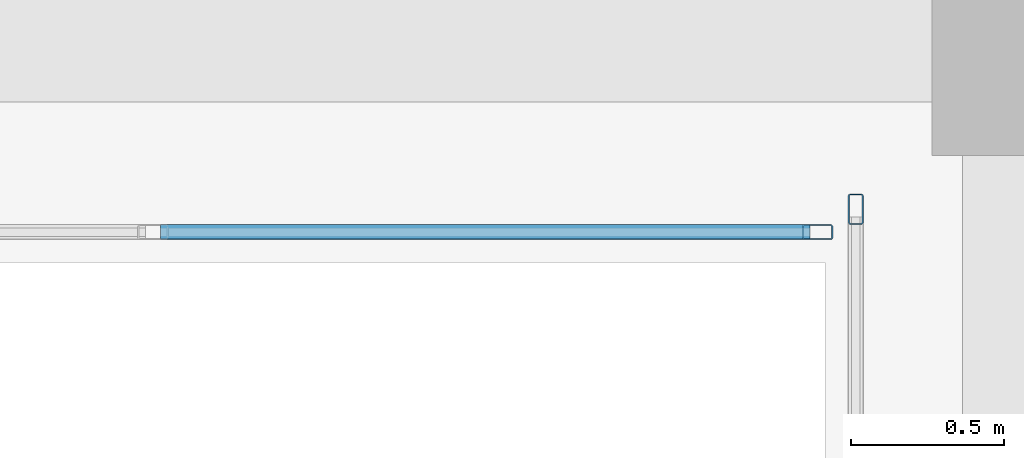
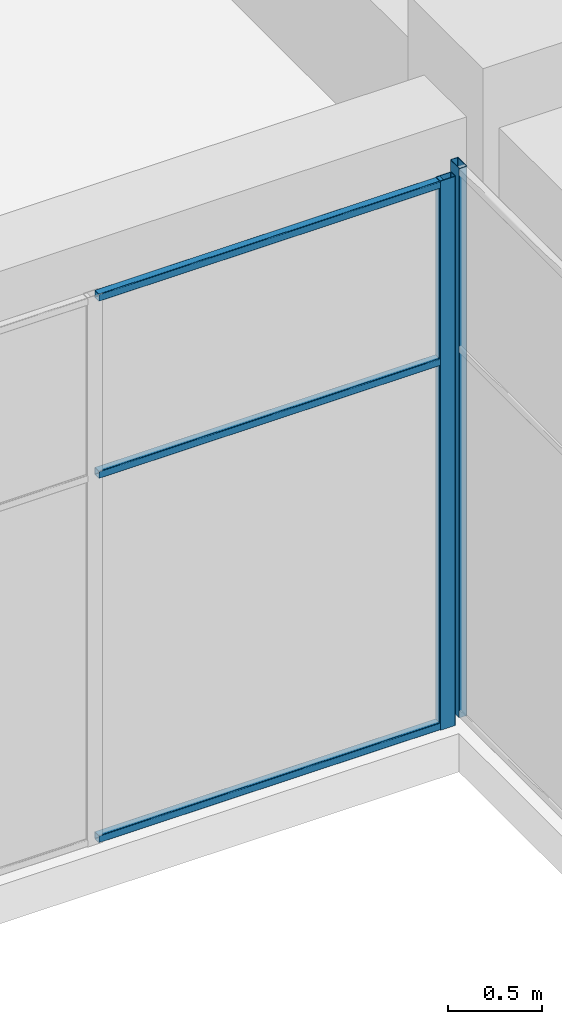
# One storey, part 25 of 72: 5 members, 2 elements without a shape of their own.
"""IFC4 building model written with IfcOpenShell, lengths in metres."""

import ifcopenshell
import ifcopenshell.guid

model = None  # the IFC model being written
_history = None  # IfcOwnerHistory: only IFC2X3 demands one
_inside = {}  # id of a spatial element -> (the spatial element, [elements in it])
_under = {}  # id of a project, library or spatial element -> (it, [spatial elements below it])
_declared = {}  # id of a project -> (the project, [libraries it declares])
_typed = {}  # id of a type object -> (the type object, [elements of that type])
_made_of = {}  # id of a material, layer set ... -> (it, [elements and type objects made of it])


def new_model(schema):
    """Start an empty IFC model of exactly this schema.

    Asked for "IFC4X3", IfcOpenShell would pick the latest addendum, in which some entities
    have other attributes; the version numbers below select the first issue.
    IFC2X3 requires an IfcOwnerHistory on every rooted entity: one is made here for all.
    """
    global model, _history
    if schema == "IFC4X3":
        model = ifcopenshell.file(schema_version=(4, 3, 0, 0))
    else:
        model = ifcopenshell.file(schema=schema)
    _inside.clear()
    _under.clear()
    _declared.clear()
    _typed.clear()
    _made_of.clear()
    _history = None
    if model.schema == "IFC2X3":
        org = make("IfcOrganization", Name="unknown")
        user = make(
            "IfcPersonAndOrganization",
            ThePerson=make("IfcPerson", FamilyName="unknown"),
            TheOrganization=org,
        )
        app = make(
            "IfcApplication",
            ApplicationDeveloper=org,
            Version="unknown",
            ApplicationFullName="unknown",
            ApplicationIdentifier="unknown",
        )
        _history = make(
            "IfcOwnerHistory",
            OwningUser=user,
            OwningApplication=app,
            ChangeAction="ADDED",
            CreationDate=0,
        )
    return model


def make(cls, **values):
    """One entity of the class cls with the attributes given. An attribute that is None is left unset."""
    return model.create_entity(
        cls, **{name: value for name, value in values.items() if value is not None}
    )


def rooted(cls, **values):
    """An entity with a GlobalId (a new one), such as an element, a storey or a relation."""
    return make(cls, GlobalId=ifcopenshell.guid.new(), OwnerHistory=_history, **values)


def si_unit(unit_type, name, prefix=None):
    """IfcSIUnit, for example si_unit("LENGTHUNIT", "METRE", prefix="MILLI")."""
    return make("IfcSIUnit", UnitType=unit_type, Prefix=prefix, Name=name)


def assignment(units):
    """IfcUnitAssignment: the units of a project."""
    return None if units is None else make("IfcUnitAssignment", Units=units)


def point(xyz):
    """IfcCartesianPoint."""
    return None if xyz is None else make("IfcCartesianPoint", Coordinates=xyz)


def direction(xyz):
    """IfcDirection."""
    return None if xyz is None else make("IfcDirection", DirectionRatios=xyz)


def frame(location, z_axis=None, x_axis=None):
    """IfcAxis2Placement3D, a coordinate frame: its origin and axes. An axis left out is left unset."""
    return make(
        "IfcAxis2Placement3D",
        Location=point(location),
        Axis=direction(z_axis),
        RefDirection=direction(x_axis),
    )


def frame_2d(location, x_axis=None):
    """IfcAxis2Placement2D, a coordinate frame in the plane: its origin and x axis."""
    return make(
        "IfcAxis2Placement2D", Location=point(location), RefDirection=direction(x_axis)
    )


def origin():
    """The frame at (0, 0, 0) with its axes left unset."""
    return frame((0.0, 0.0, 0.0))


def origin_2d():
    """The frame at (0, 0) in the plane with its x axis left unset."""
    return frame_2d((0.0, 0.0))


def place(relative_to, where):
    """IfcLocalPlacement: puts the frame where relative to a parent placement (None: the world)."""
    return make(
        "IfcLocalPlacement", PlacementRelTo=relative_to, RelativePlacement=where
    )


def context(
    kind, dimensions, precision=None, world=None, true_north=None, identifier=None
):
    """IfcGeometricRepresentationContext, for example the 3D "Model" context."""
    return make(
        "IfcGeometricRepresentationContext",
        ContextIdentifier=identifier,
        ContextType=kind,
        CoordinateSpaceDimension=dimensions,
        Precision=precision,
        WorldCoordinateSystem=world,
        TrueNorth=true_north,
    )


def subcontext(parent, identifier, kind, view, scale=None):
    """IfcGeometricRepresentationSubContext, for example "Body" below "Model"."""
    return make(
        "IfcGeometricRepresentationSubContext",
        ContextIdentifier=identifier,
        ContextType=kind,
        ParentContext=parent,
        TargetScale=scale,
        TargetView=view,
    )


def project(units=None, contexts=None):
    """IfcProject with its units and contexts."""
    return rooted(
        "IfcProject",
        Name="project",
        RepresentationContexts=contexts,
        UnitsInContext=assignment(units),
    )


def spatial(cls, under=None, at=None, **own):
    """A site, building, storey or space (cls), placed at a placement, below another one or the project."""
    s = rooted(cls, ObjectPlacement=at, **own)
    if under is not None:
        _under.setdefault(under.id(), (under, []))[1].append(s)
    return s


def profile(cls, at=None, kind="AREA", **sizes):
    """A parametric profile (cls). Its sizes go by their IFC names, for example OverallWidth=200.0."""
    return make(cls, ProfileType=kind, Position=at, **sizes)


def hollow_rectangle(**sizes):
    """IfcRectangleHollowProfileDef."""
    return profile("IfcRectangleHollowProfileDef", **sizes)


def extrude(swept, where, along, depth):
    """IfcExtrudedAreaSolid: the profile swept, set in the frame where, extruded along a direction by depth."""
    return make(
        "IfcExtrudedAreaSolid",
        SweptArea=swept,
        Position=where,
        ExtrudedDirection=direction(along),
        Depth=depth,
    )


def shape(context_of_items, identifier, shape_type, items):
    """IfcShapeRepresentation: the items that make up one representation, for example the "Body"."""
    return make(
        "IfcShapeRepresentation",
        ContextOfItems=context_of_items,
        RepresentationIdentifier=identifier,
        RepresentationType=shape_type,
        Items=items,
    )


def material(Name=None, Category=None):
    """IfcMaterial."""
    return make("IfcMaterial", Name=Name, Category=Category)


def layer(
    of_material, thickness, ventilated=None, Name=None, Category=None, Priority=None
):
    """IfcMaterialLayer: one layer of a wall or slab, of a material (None: an air gap)."""
    return make(
        "IfcMaterialLayer",
        Material=of_material,
        LayerThickness=thickness,
        IsVentilated=ventilated,
        Name=Name,
        Category=Category,
        Priority=Priority,
    )


def layer_set(layers, Name=None):
    """IfcMaterialLayerSet."""
    return make("IfcMaterialLayerSet", MaterialLayers=layers, LayerSetName=Name)


def material_profile(
    of_material, cross_section, Name=None, Category=None, Priority=None
):
    """IfcMaterialProfile: a cross section and its material."""
    return make(
        "IfcMaterialProfile",
        Name=Name,
        Material=of_material,
        Profile=cross_section,
        Priority=Priority,
        Category=Category,
    )


def profile_set(profiles, Name=None, composite=None):
    """IfcMaterialProfileSet."""
    return make(
        "IfcMaterialProfileSet",
        Name=Name,
        MaterialProfiles=profiles,
        CompositeProfile=composite,
    )


def made_of(thing, what):
    """Note that an element or type object is made of a material, layer set ...; save() writes the relation."""
    if what is not None:
        _made_of.setdefault(what.id(), (what, []))[1].append(thing)
    return thing


def type_object(cls, material=None, **own):
    """A type object (cls), such as IfcWallType, which elements share."""
    return made_of(rooted(cls, **own), material)


def element(
    cls,
    number,
    at=None,
    inside=None,
    cuts=None,
    type_object=None,
    material=None,
    context=None,
    identifier="Body",
    shape_type=None,
    held_by="IfcProductDefinitionShape",
    body=None,
    shapes=None,
    **own,
):
    """One element of the class cls, such as IfcWall. Its Tag is "e" and its number.

    at: its placement. inside: the storey or other place that contains it. cuts: it is an
    opening in that element (IfcRelVoidsElement). A single representation is given by context,
    identifier, shape_type and body (its items); several are given by shapes. held_by: the class
    of the entity that holds the representations. save() writes the other relations.
    """
    e = rooted(cls, Tag="e%d" % number, ObjectPlacement=at, **own)
    if body is not None:
        shapes = [shape(context, identifier, shape_type, body)]
    if shapes is not None:
        e.Representation = make(held_by, Representations=shapes)
    if inside is not None:
        _inside.setdefault(inside.id(), (inside, []))[1].append(e)
    if cuts is not None:
        rooted(
            "IfcRelVoidsElement", RelatingBuildingElement=cuts, RelatedOpeningElement=e
        )
    if type_object is not None:
        _typed.setdefault(type_object.id(), (type_object, []))[1].append(e)
    return made_of(e, material)


def aggregate(whole, parts):
    """IfcRelAggregates: a whole, such as a stair, and the parts it consists of."""
    return rooted("IfcRelAggregates", RelatingObject=whole, RelatedObjects=parts)


def save(model, path):
    """Write the relations noted so far, then the file.

    IfcRelAggregates (storeys below a building ...), IfcRelContainedInSpatialStructure (elements
    in a storey), IfcRelDefinesByType, IfcRelAssociatesMaterial and IfcRelDeclares: one each for
    every whole, place, type object, material and project.
    """
    for whole, parts in _under.values():
        aggregate(whole, parts)
    for where, things in _inside.values():
        rooted(
            "IfcRelContainedInSpatialStructure",
            RelatedElements=things,
            RelatingStructure=where,
        )
    for kind, things in _typed.values():
        rooted("IfcRelDefinesByType", RelatedObjects=things, RelatingType=kind)
    for what, things in _made_of.values():
        rooted("IfcRelAssociatesMaterial", RelatedObjects=things, RelatingMaterial=what)
    for by, libraries in _declared.values():
        rooted("IfcRelDeclares", RelatingContext=by, RelatedDefinitions=libraries)
    model.write(path)


model = new_model("IFC4")

# Units and contexts
model_context = context("Model", 3, precision=1e-05, world=origin(), true_north=direction((0.0, 1.0)))
body_context = subcontext(model_context, "Body", "Model", "MODEL_VIEW")
ifc_project = project(units=[si_unit("LENGTHUNIT", "METRE"), si_unit("AREAUNIT", "SQUARE_METRE"), si_unit("VOLUMEUNIT", "CUBIC_METRE"), si_unit("PLANEANGLEUNIT", "RADIAN"), si_unit("MASSUNIT", "GRAM", prefix="KILO")], contexts=[model_context])

# Site, building, storey
site_placement = place(None, origin())
site = spatial("IfcSite", under=ifc_project, at=site_placement, CompositionType="ELEMENT")
building_placement = place(site_placement, origin())
building = spatial("IfcBuilding", under=site, at=building_placement, Name="Tuart Plaza Theatre", CompositionType="ELEMENT")
storey_placement = place(building_placement, frame((0.0, 0.0, 13.5)))
storey = spatial("IfcBuildingStorey", under=building, at=storey_placement, Name="L03", CompositionType="ELEMENT", Elevation=13.5)

# Curtain wall, member
ifc_material_1 = material(Name="Aluminium and glass", Category="aluminium")
ifc_layer = layer(ifc_material_1, 0.10009765625)
ifc_layer_set = layer_set([ifc_layer], Name="CURTAIN WALL 2000 module")
curtain_wall_type = type_object("IfcCurtainWallType", Name="CURTAIN WALL 2000 module", PredefinedType="NOTDEFINED", material=ifc_layer_set)
curtain_wall_1_placement = place(storey_placement, origin())
curtain_wall_1 = element("IfcCurtainWall", 1, at=curtain_wall_1_placement, inside=storey, type_object=curtain_wall_type, Name="CW67", PredefinedType="NOTDEFINED")
ifc_material_2 = material(Name="Aluminium 6063-T5", Category="aluminium")
ifc_material_profile_1 = material_profile(ifc_material_2, hollow_rectangle(XDim=0.050048828125, YDim=0.10009765625, WallThickness=0.00390625, InnerFilletRadius=0.00390625, OuterFilletRadius=0.008056640625, at=origin_2d()), Name="RHS 100x50x4")
ifc_profile_set_1 = profile_set([ifc_material_profile_1], Name="Aluminium 6063-T5")
member_type_1 = type_object("IfcMemberType", Name="MULLION RHS 100x50x4", PredefinedType="MULLION", material=ifc_profile_set_1)
member_1_placement = place(storey_placement, frame((122.35009765625, 55.425048828125, 0.0), z_axis=(0.0, 0.0, 1.0), x_axis=(1.0, 0.0, 0.0)))
member_1 = element("IfcMember", 2, at=member_1_placement, type_object=member_type_1, Name="CW67 mullion 1", PredefinedType="MULLION", context=body_context, shape_type="SweptSolid", body=[
    extrude(hollow_rectangle(XDim=0.050048828125, YDim=0.10009765625, WallThickness=0.00390625, InnerFilletRadius=0.00390625, OuterFilletRadius=0.008056640625, at=origin_2d()), origin(), (0.0, 0.0, 1.0), 3.580078125),
])
aggregate(curtain_wall_1, [member_1])

# Curtain wall, members
curtain_wall_2_placement = place(storey_placement, origin())
curtain_wall_2 = element("IfcCurtainWall", 3, at=curtain_wall_2_placement, inside=storey, type_object=curtain_wall_type, Name="CW74", PredefinedType="NOTDEFINED")
member_2_placement = place(storey_placement, frame((122.22509765625, 55.35009765625, 0.0), z_axis=(0.0, 0.0, 1.0), x_axis=(0.0, 1.0, 0.0)))
member_2 = element("IfcMember", 4, at=member_2_placement, type_object=member_type_1, Name="CW74 mullion 5", PredefinedType="MULLION", context=body_context, shape_type="SweptSolid", body=[
    extrude(hollow_rectangle(XDim=0.050048828125, YDim=0.10009765625, WallThickness=0.00390625, InnerFilletRadius=0.00390625, OuterFilletRadius=0.008056640625, at=origin_2d()), origin(), (0.0, 0.0, 1.0), 3.580078125),
])
ifc_material_3 = material(Name="Aluminium 6063-T5", Category="aluminium")
ifc_material_profile_2 = material_profile(ifc_material_3, hollow_rectangle(XDim=0.050048828125, YDim=0.050048828125, WallThickness=0.00390625, InnerFilletRadius=0.00390625, OuterFilletRadius=0.008056640625, at=origin_2d()), Name="RHS 50x50x4")
ifc_profile_set_2 = profile_set([ifc_material_profile_2], Name="Aluminium 6063-T5")
member_type_2 = type_object("IfcMemberType", Name="TRANSOM RHS 50x50x4", PredefinedType="USERDEFINED", material=ifc_profile_set_2)
member_3_placement = place(storey_placement, frame((120.074951171875, 55.35009765625, 0.02490234375), z_axis=(1.0, 0.0, 0.0), x_axis=(0.0, 1.0, 0.0)))
member_3 = element("IfcMember", 5, at=member_3_placement, type_object=member_type_2, Name="CW74 transom 4.1", ObjectType="TRANSOM", PredefinedType="USERDEFINED", context=body_context, shape_type="SweptSolid", body=[
    extrude(hollow_rectangle(XDim=0.050048828125, YDim=0.050048828125, WallThickness=0.00390625, InnerFilletRadius=0.00390625, OuterFilletRadius=0.008056640625, at=origin_2d()), origin(), (0.0, 0.0, 1.0), 2.125),
])
member_4_placement = place(storey_placement, frame((120.074951171875, 55.35009765625, 2.39990234375), z_axis=(1.0, 0.0, 0.0), x_axis=(0.0, 1.0, 0.0)))
member_4 = element("IfcMember", 6, at=member_4_placement, type_object=member_type_2, Name="CW74 transom 4.2", ObjectType="TRANSOM", PredefinedType="USERDEFINED", context=body_context, shape_type="SweptSolid", body=[
    extrude(hollow_rectangle(XDim=0.050048828125, YDim=0.050048828125, WallThickness=0.00390625, InnerFilletRadius=0.00390625, OuterFilletRadius=0.008056640625, at=origin_2d()), origin(), (0.0, 0.0, 1.0), 2.125),
])
member_5_placement = place(storey_placement, frame((120.074951171875, 55.35009765625, 3.554931640625), z_axis=(1.0, 0.0, 0.0), x_axis=(0.0, 1.0, 0.0)))
member_5 = element("IfcMember", 7, at=member_5_placement, type_object=member_type_2, Name="CW74 transom 4.3", ObjectType="TRANSOM", PredefinedType="USERDEFINED", context=body_context, shape_type="SweptSolid", body=[
    extrude(hollow_rectangle(XDim=0.050048828125, YDim=0.050048828125, WallThickness=0.00390625, InnerFilletRadius=0.00390625, OuterFilletRadius=0.008056640625, at=origin_2d()), origin(), (0.0, 0.0, 1.0), 2.125),
])
aggregate(curtain_wall_2, [member_2, member_3, member_4, member_5])

save(model, "model.ifc")
